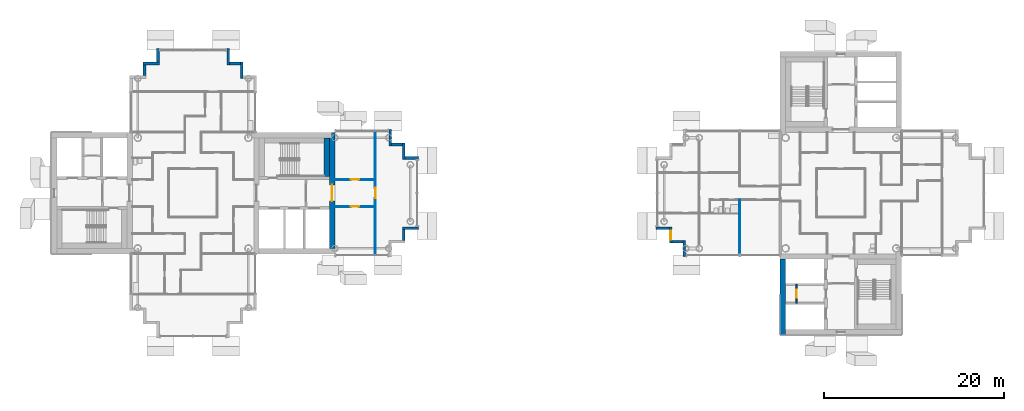
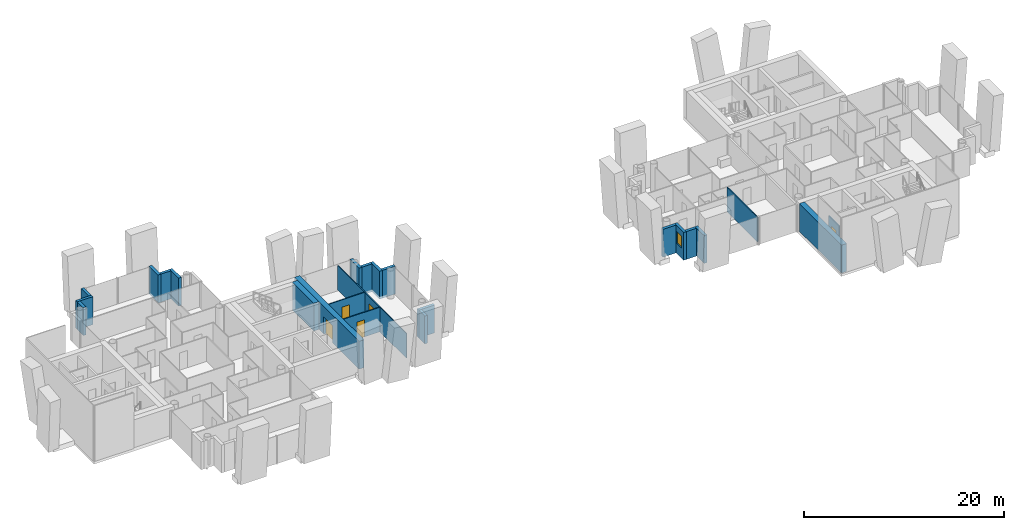
# One storey, part 8 of 18: 24 walls, 5 doors, 1 window, 6 openings.
"""IFC4 building model written with IfcOpenShell, lengths in metres."""

from ifc_helpers import new_model, si_unit, direction, frame, frame_2d, origin, place, context, subcontext, project, spatial, rectangle, extrude, material, layer, layer_set, type_object, element, fill, save


model = new_model("IFC4")

# Units and contexts
model_context = context("Model", 3, precision=1e-05, world=origin(), true_north=direction((0.0, 1.0)))
body_context = subcontext(model_context, "Body", "Model", "MODEL_VIEW")
ifc_project = project(units=[si_unit("LENGTHUNIT", "METRE"), si_unit("AREAUNIT", "SQUARE_METRE"), si_unit("VOLUMEUNIT", "CUBIC_METRE"), si_unit("PLANEANGLEUNIT", "RADIAN"), si_unit("MASSUNIT", "GRAM", prefix="KILO")], contexts=[model_context])

# Site, building, storey
site_placement = place(None, origin())
site = spatial("IfcSite", under=ifc_project, at=site_placement, CompositionType="ELEMENT")
building_placement = place(site_placement, origin())
building = spatial("IfcBuilding", under=site, at=building_placement, Name="Ipe Terrace Towers", CompositionType="ELEMENT")
storey_placement = place(building_placement, frame((0.0, 0.0, 216.39990234375)))
storey = spatial("IfcBuildingStorey", under=building, at=storey_placement, Name="L60", CompositionType="ELEMENT", Elevation=216.39990234375)

# Walls
ifc_material_1 = material(Name="Concrete C40/50 with buff precast cladding", Category="concrete")
ifc_layer_1 = layer(ifc_material_1, 0.320068359375)
ifc_layer_set_1 = layer_set([ifc_layer_1], Name="BUFF CLADDING WALL 320")
wall_type_1 = type_object("IfcWallType", Name="BUFF CLADDING WALL 320", PredefinedType="STANDARD", material=ifc_layer_set_1)
wall_1_placement = place(storey_placement, frame((-12.590087890625, -5.25, -0.2998046875), z_axis=(0.0, 0.0, 1.0), x_axis=(0.0, 1.0, 0.0)))
element("IfcWall", 1, at=wall_1_placement, inside=storey, type_object=wall_type_1, Name="T1-W-L60-19a wall", PredefinedType="STANDARD", context=body_context, shape_type="SweptSolid", body=[
    extrude(rectangle(XDim=1.179931640625, YDim=0.320068359375, at=frame_2d((0.58984375, 0.0))), origin(), (0.0, 0.0, 1.0), 3.39990234375),
])
wall_2_placement = place(storey_placement, frame((-12.75, -3.909912109375, -0.2998046875), z_axis=(0.0, 0.0, 1.0), x_axis=(1.0, 0.0, 0.0)))
element("IfcWall", 2, at=wall_2_placement, inside=storey, type_object=wall_type_1, Name="T1-W-L60-20a wall", PredefinedType="STANDARD", context=body_context, shape_type="SweptSolid", body=[
    extrude(rectangle(XDim=1.820068359375, YDim=0.320068359375, at=frame_2d((0.91015625, 0.0))), origin(), (0.0, 0.0, 1.0), 3.39990234375),
])
wall_3_placement = place(storey_placement, frame((-10.929931640625, 3.909912109375, -0.2998046875), z_axis=(0.0, 0.0, 1.0), x_axis=(-1.0, 0.0, 0.0)))
element("IfcWall", 3, at=wall_3_placement, inside=storey, type_object=wall_type_1, Name="T1-W-L60-22a wall", PredefinedType="STANDARD", context=body_context, shape_type="SweptSolid", body=[
    extrude(rectangle(XDim=1.5, YDim=0.320068359375, at=frame_2d((0.75, 0.0))), origin(), (0.0, 0.0, 1.0), 3.39990234375),
])
wall_4_placement = place(storey_placement, frame((-12.590087890625, 3.75, -0.2998046875), z_axis=(0.0, 0.0, 1.0), x_axis=(0.0, 1.0, 0.0)))
element("IfcWall", 4, at=wall_4_placement, inside=storey, type_object=wall_type_1, Name="T1-W-L60-23a wall", PredefinedType="STANDARD", context=body_context, shape_type="SweptSolid", body=[
    extrude(rectangle(XDim=1.820068359375, YDim=0.320068359375, at=frame_2d((0.91015625, 0.0))), origin(), (0.0, 0.0, 1.0), 3.39990234375),
])
wall_5_placement = place(storey_placement, frame((-12.75, 5.409912109375, -0.2998046875), z_axis=(0.0, 0.0, 1.0), x_axis=(-1.0, 0.0, 0.0)))
element("IfcWall", 5, at=wall_5_placement, inside=storey, type_object=wall_type_1, Name="T1-W-L60-24a wall", PredefinedType="STANDARD", context=body_context, shape_type="SweptSolid", body=[
    extrude(rectangle(XDim=1.179931640625, YDim=0.320068359375, at=frame_2d((0.58984375, 0.0))), origin(), (0.0, 0.0, 1.0), 3.39990234375),
])
for number, where, z_axis, x_axis, name in (
    (6, (-14.090087890625, 5.25, -0.2998046875), (0.0, 0.0, 1.0), (0.0, 1.0, 0.0), "T1-W-L60-25a wall"),
    (7, (-30.590087890625, 12.75, -0.2998046875), (0.0, 0.0, 1.0), (0.0, 1.0, 0.0), "T1-W-L60-31a wall"),
):
    element("IfcWall", number, at=place(storey_placement, frame(where, z_axis=z_axis, x_axis=x_axis)), inside=storey, type_object=wall_type_1, Name=name, PredefinedType="STANDARD", context=body_context, shape_type="SweptSolid", body=[
        extrude(rectangle(XDim=1.820068359375, YDim=0.320068359375, at=frame_2d((0.91015625, 0.0))), origin(), (0.0, 0.0, 1.0), 3.39990234375),
    ])
wall_6_placement = place(storey_placement, frame((-30.75, 14.409912109375, -0.2998046875), z_axis=(0.0, 0.0, 1.0), x_axis=(-1.0, 0.0, 0.0)))
element("IfcWall", 8, at=wall_6_placement, inside=storey, type_object=wall_type_1, Name="T1-W-L60-32a wall", PredefinedType="STANDARD", context=body_context, shape_type="SweptSolid", body=[
    extrude(rectangle(XDim=1.179931640625, YDim=0.320068359375, at=frame_2d((0.58984375, 0.0))), origin(), (0.0, 0.0, 1.0), 3.39990234375),
])
wall_7_placement = place(storey_placement, frame((-32.090087890625, 14.25, -0.2998046875), z_axis=(0.0, 0.0, 1.0), x_axis=(0.0, 1.0, 0.0)))
element("IfcWall", 9, at=wall_7_placement, inside=storey, type_object=wall_type_1, Name="T1-W-L60-33a wall", PredefinedType="STANDARD", context=body_context, shape_type="SweptSolid", body=[
    extrude(rectangle(XDim=1.820068359375, YDim=0.320068359375, at=frame_2d((0.91015625, 0.0))), origin(), (0.0, 0.0, 1.0), 3.39990234375),
])
wall_8_placement = place(storey_placement, frame((-39.909912109375, 16.070068359375, -0.2998046875), z_axis=(0.0, 0.0, 1.0), x_axis=(0.0, -1.0, 0.0)))
element("IfcWall", 10, at=wall_8_placement, inside=storey, type_object=wall_type_1, Name="T1-W-L60-35a wall", PredefinedType="STANDARD", context=body_context, shape_type="SweptSolid", body=[
    extrude(rectangle(XDim=1.5, YDim=0.320068359375, at=frame_2d((0.75, 0.0))), origin(), (0.0, 0.0, 1.0), 3.39990234375),
])
wall_9_placement = place(storey_placement, frame((-39.75, 14.409912109375, -0.2998046875), z_axis=(0.0, 0.0, 1.0), x_axis=(-1.0, 0.0, 0.0)))
element("IfcWall", 11, at=wall_9_placement, inside=storey, type_object=wall_type_1, Name="T1-W-L60-36a wall", PredefinedType="STANDARD", context=body_context, shape_type="SweptSolid", body=[
    extrude(rectangle(XDim=1.820068359375, YDim=0.320068359375, at=frame_2d((0.91015625, 0.0))), origin(), (0.0, 0.0, 1.0), 3.39990234375),
])
wall_10_placement = place(storey_placement, frame((-41.409912109375, 14.25, -0.2998046875), z_axis=(0.0, 0.0, 1.0), x_axis=(0.0, -1.0, 0.0)))
element("IfcWall", 12, at=wall_10_placement, inside=storey, type_object=wall_type_1, Name="T1-W-L60-37a wall", PredefinedType="STANDARD", context=body_context, shape_type="SweptSolid", body=[
    extrude(rectangle(XDim=1.179931640625, YDim=0.320068359375, at=frame_2d((0.58984375, 0.0))), origin(), (0.0, 0.0, 1.0), 3.39990234375),
])
wall_11_placement = place(storey_placement, frame((15.429931640625, -3.909912109375, -0.2998046875), z_axis=(0.0, 0.0, 1.0), x_axis=(1.0, 0.0, 0.0)))
element("IfcWall", 13, at=wall_11_placement, inside=storey, type_object=wall_type_1, Name="T2-W-L60-27a wall", PredefinedType="STANDARD", context=body_context, shape_type="SweptSolid", body=[
    extrude(rectangle(XDim=1.5, YDim=0.320068359375, at=frame_2d((0.75, 0.0))), origin(), (0.0, 0.0, 1.0), 3.39990234375),
])

# Wall, opening, window
wall_12_placement = place(storey_placement, frame((17.090087890625, -3.75, -0.2998046875), z_axis=(0.0, 0.0, 1.0), x_axis=(0.0, -1.0, 0.0)))
wall_12 = element("IfcWall", 14, at=wall_12_placement, inside=storey, type_object=wall_type_1, Name="T2-W-L60-28a wall", PredefinedType="STANDARD", context=body_context, shape_type="SweptSolid", body=[
    extrude(rectangle(XDim=1.820068359375, YDim=0.320068359375, at=frame_2d((0.91015625, 0.0))), origin(), (0.0, 0.0, 1.0), 3.39990234375),
])
opening_1_placement = place(wall_12_placement, frame((0.409912109375, 0.0, 1.199951171875)))
opening_1 = element("IfcOpeningElement", 15, at=opening_1_placement, cuts=wall_12, Name="Opening T2-W-05-L60-01", PredefinedType="OPENING", context=body_context, shape_type="SweptSolid", body=[
    extrude(rectangle(XDim=1.0, YDim=1.5, at=frame_2d((0.5, 0.75))), frame((0.0, 0.169921875, 0.0), z_axis=(0.0, -1.0, 0.0), x_axis=(1.0, 0.0, 0.0)), (0.0, 0.0, 1.0), 0.340087890625),
])
ifc_material_2 = material(Name="Glass, clear laminated", Category="glass")
window_type = type_object("IfcWindowType", Name="DWELLING WINDOW 1000 x 1500", PartitioningType="SINGLE_PANEL", PredefinedType="WINDOW", material=ifc_material_2)
window_placement = place(opening_1_placement, origin())
window = element("IfcWindow", 16, at=window_placement, inside=storey, type_object=window_type, Name="W-05 window", OverallHeight=1.5, OverallWidth=1.0, PartitioningType="SINGLE_PANEL", PredefinedType="WINDOW", context=body_context, shape_type="SweptSolid", body=[
    extrude(rectangle(XDim=1.0, YDim=1.5, at=frame_2d((0.5, 0.75))), frame((0.0, 0.030029296875, 0.0), z_axis=(0.0, -1.0, 0.0), x_axis=(1.0, 0.0, 0.0)), (0.0, 0.0, 1.0), 0.06005859375),
])
fill(opening_1, window)

# Walls
wall_13_placement = place(storey_placement, frame((17.25, -5.409912109375, -0.2998046875), z_axis=(0.0, 0.0, 1.0), x_axis=(1.0, 0.0, 0.0)))
element("IfcWall", 17, at=wall_13_placement, inside=storey, type_object=wall_type_1, Name="T2-W-L60-29a wall", PredefinedType="STANDARD", context=body_context, shape_type="SweptSolid", body=[
    extrude(rectangle(XDim=1.179931640625, YDim=0.320068359375, at=frame_2d((0.58984375, 0.0))), origin(), (0.0, 0.0, 1.0), 3.39990234375),
])
wall_14_placement = place(storey_placement, frame((18.590087890625, -5.25, -0.2998046875), z_axis=(0.0, 0.0, 1.0), x_axis=(0.0, -1.0, 0.0)))
element("IfcWall", 18, at=wall_14_placement, inside=storey, type_object=wall_type_1, Name="T2-W-L60-30a wall", PredefinedType="STANDARD", context=body_context, shape_type="SweptSolid", body=[
    extrude(rectangle(XDim=1.820068359375, YDim=0.320068359375, at=frame_2d((0.91015625, 0.0))), origin(), (0.0, 0.0, 1.0), 3.39990234375),
])

# Wall, opening, door
ifc_material_3 = material(Name="Gypsum board partition", Category="plasterboard")
ifc_layer_2 = layer(ifc_material_3, 0.10009765625)
ifc_layer_set_2 = layer_set([ifc_layer_2], Name="Gypsum board partition 100 mm")
wall_type_2 = type_object("IfcWallType", Name="Gypsum board partition 100 mm", PredefinedType="PARTITIONING", material=ifc_layer_set_2)
wall_15_placement = place(storey_placement, frame((-15.75, -6.85009765625, 0.0), z_axis=(0.0, 0.0, 1.0), x_axis=(0.0, 1.0, 0.0)))
wall_15 = element("IfcWall", 19, at=wall_15_placement, inside=storey, type_object=wall_type_2, Name="Gypsum board partition T1 L60 W15", PredefinedType="PARTITIONING", context=body_context, shape_type="SweptSolid", body=[
    extrude(rectangle(XDim=13.7001953125, YDim=0.10009765625, at=frame_2d((6.85009765625, 0.0))), origin(), (0.0, 0.0, 1.0), 3.0),
])
opening_2_placement = place(wall_15_placement, frame((6.25, 0.0, 0.0)))
opening_2 = element("IfcOpeningElement", 20, at=opening_2_placement, cuts=wall_15, Name="Opening T1-Z4F-17", PredefinedType="OPENING", context=body_context, shape_type="SweptSolid", body=[
    extrude(rectangle(XDim=1.199951171875, YDim=2.10009765625, at=frame_2d((0.60009765625, 1.050048828125))), frame((0.0, 0.06005859375, 0.0), z_axis=(0.0, -1.0, 0.0), x_axis=(1.0, 0.0, 0.0)), (0.0, 0.0, 1.0), 0.1201171875),
])
ifc_material_4 = material(Name="Timber door leaf", Category="wood")
door_type_1 = type_object("IfcDoorType", Name="Lounge door 1200 x 2100", OperationType="NOTDEFINED", PredefinedType="DOOR", material=ifc_material_4)
door_1_placement = place(opening_2_placement, origin())
door_1 = element("IfcDoor", 21, at=door_1_placement, inside=storey, type_object=door_type_1, Name="Lounge door T1-Z4F-17", OperationType="SINGLE_SWING_RIGHT", OverallHeight=2.10009765625, OverallWidth=1.199951171875, PredefinedType="DOOR", context=body_context, shape_type="SweptSolid", body=[
    extrude(rectangle(XDim=1.199951171875, YDim=2.10009765625, at=frame_2d((0.60009765625, 1.050048828125))), frame((0.0, 0.02490234375, 0.0), z_axis=(0.0, -1.0, 0.0), x_axis=(1.0, 0.0, 0.0)), (0.0, 0.0, 1.0), 0.050048828125),
])
fill(opening_2, door_1)

wall_16_placement = place(storey_placement, frame((-20.25, -1.5, 0.0), z_axis=(0.0, 0.0, 1.0), x_axis=(1.0, 0.0, 0.0)))
wall_16 = element("IfcWall", 22, at=wall_16_placement, inside=storey, type_object=wall_type_2, Name="Gypsum board partition T1 L60 W25", PredefinedType="PARTITIONING", context=body_context, shape_type="SweptSolid", body=[
    extrude(rectangle(XDim=4.5, YDim=0.10009765625, at=frame_2d((2.25, 0.0))), origin(), (0.0, 0.0, 1.0), 3.0),
])
opening_3_placement = place(wall_16_placement, frame((1.800048828125, 0.0, 0.0)))
opening_3 = element("IfcOpeningElement", 23, at=opening_3_placement, cuts=wall_16, Name="Opening T1-Z4F-16", PredefinedType="OPENING", context=body_context, shape_type="SweptSolid", body=[
    extrude(rectangle(XDim=0.89990234375, YDim=2.10009765625, at=frame_2d((0.449951171875, 1.050048828125))), frame((0.0, 0.06005859375, 0.0), z_axis=(0.0, -1.0, 0.0), x_axis=(1.0, 0.0, 0.0)), (0.0, 0.0, 1.0), 0.1201171875),
])
ifc_material_5 = material(Name="Timber door leaf", Category="wood")
door_type_2 = type_object("IfcDoorType", Name="Lounge door 900 x 2100", OperationType="NOTDEFINED", PredefinedType="DOOR", material=ifc_material_5)
door_2_placement = place(opening_3_placement, origin())
door_2 = element("IfcDoor", 24, at=door_2_placement, inside=storey, type_object=door_type_2, Name="Lounge door T1-Z4F-16", OperationType="SINGLE_SWING_RIGHT", OverallHeight=2.10009765625, OverallWidth=0.89990234375, PredefinedType="DOOR", context=body_context, shape_type="SweptSolid", body=[
    extrude(rectangle(XDim=0.89990234375, YDim=2.10009765625, at=frame_2d((0.449951171875, 1.050048828125))), frame((0.0, 0.02490234375, 0.0), z_axis=(0.0, -1.0, 0.0), x_axis=(1.0, 0.0, 0.0)), (0.0, 0.0, 1.0), 0.050048828125),
])
fill(opening_3, door_2)

wall_17_placement = place(storey_placement, frame((-20.25, 1.5, 0.0), z_axis=(0.0, 0.0, 1.0), x_axis=(1.0, 0.0, 0.0)))
wall_17 = element("IfcWall", 25, at=wall_17_placement, inside=storey, type_object=wall_type_2, Name="Gypsum board partition T1 L60 W28", PredefinedType="PARTITIONING", context=body_context, shape_type="SweptSolid", body=[
    extrude(rectangle(XDim=4.5, YDim=0.10009765625, at=frame_2d((2.25, 0.0))), origin(), (0.0, 0.0, 1.0), 3.0),
])
opening_4_placement = place(wall_17_placement, frame((1.800048828125, 0.0, 0.0)))
opening_4 = element("IfcOpeningElement", 26, at=opening_4_placement, cuts=wall_17, Name="Opening T1-Z4F-15", PredefinedType="OPENING", context=body_context, shape_type="SweptSolid", body=[
    extrude(rectangle(XDim=0.89990234375, YDim=2.10009765625, at=frame_2d((0.449951171875, 1.050048828125))), frame((0.0, 0.06005859375, 0.0), z_axis=(0.0, -1.0, 0.0), x_axis=(1.0, 0.0, 0.0)), (0.0, 0.0, 1.0), 0.1201171875),
])
door_3_placement = place(opening_4_placement, origin())
door_3 = element("IfcDoor", 27, at=door_3_placement, inside=storey, type_object=door_type_2, Name="Lounge door T1-Z4F-15", OperationType="SINGLE_SWING_LEFT", OverallHeight=2.10009765625, OverallWidth=0.89990234375, PredefinedType="DOOR", context=body_context, shape_type="SweptSolid", body=[
    extrude(rectangle(XDim=0.89990234375, YDim=2.10009765625, at=frame_2d((0.449951171875, 1.050048828125))), frame((0.0, 0.02490234375, 0.0), z_axis=(0.0, -1.0, 0.0), x_axis=(1.0, 0.0, 0.0)), (0.0, 0.0, 1.0), 0.050048828125),
])
fill(opening_4, door_3)

# Wall
wall_18_placement = place(storey_placement, frame((24.75, -6.85009765625, 0.0), z_axis=(0.0, 0.0, 1.0), x_axis=(0.0, 1.0, 0.0)))
element("IfcWall", 28, at=wall_18_placement, inside=storey, type_object=wall_type_2, Name="Gypsum board partition T2 L60 W33", PredefinedType="PARTITIONING", context=body_context, shape_type="SweptSolid", body=[
    extrude(rectangle(XDim=6.10009765625, YDim=0.10009765625, at=frame_2d((3.050048828125, 0.0))), origin(), (0.0, 0.0, 1.0), 3.0),
])

# Wall, opening, door
ifc_material_6 = material(Name="Gypsum board partition", Category="plasterboard")
ifc_layer_3 = layer(ifc_material_6, 0.14990234375)
ifc_layer_set_3 = layer_set([ifc_layer_3], Name="Gypsum board partition 150 mm")
wall_type_3 = type_object("IfcWallType", Name="Gypsum board partition 150 mm", PredefinedType="PARTITIONING", material=ifc_layer_set_3)
wall_19_placement = place(storey_placement, frame((31.050048828125, -10.14990234375, 0.0), z_axis=(0.0, 0.0, 1.0), x_axis=(0.0, -1.0, 0.0)))
wall_19 = element("IfcWall", 29, at=wall_19_placement, inside=storey, type_object=wall_type_3, Name="Gypsum board partition T2 L60 t2c2-q-back", PredefinedType="PARTITIONING", context=body_context, shape_type="SweptSolid", body=[
    extrude(rectangle(XDim=2.10009765625, YDim=0.14990234375, at=frame_2d((1.050048828125, 0.0))), origin(), (0.0, 0.0, 1.0), 3.0),
])
opening_5_placement = place(wall_19_placement, frame((0.60009765625, 0.0, 0.0)))
opening_5 = element("IfcOpeningElement", 30, at=opening_5_placement, cuts=wall_19, Name="Opening T2C2-RB", PredefinedType="OPENING", context=body_context, shape_type="SweptSolid", body=[
    extrude(rectangle(XDim=0.89990234375, YDim=2.10009765625, at=frame_2d((0.449951171875, 1.050048828125))), frame((0.0, 0.0849609375, 0.0), z_axis=(0.0, -1.0, 0.0), x_axis=(1.0, 0.0, 0.0)), (0.0, 0.0, 1.0), 0.169921875),
])
ifc_material_7 = material(Name="Fire-rated timber door leaf", Category="wood")
door_type_3 = type_object("IfcDoorType", Name="Service door 900 x 2100 FD60", OperationType="NOTDEFINED", PredefinedType="DOOR", material=ifc_material_7)
door_4_placement = place(opening_5_placement, origin())
door_4 = element("IfcDoor", 31, at=door_4_placement, inside=storey, type_object=door_type_3, Name="Service door T2C2-RB", OperationType="SINGLE_SWING_LEFT", OverallHeight=2.10009765625, OverallWidth=0.89990234375, PredefinedType="DOOR", context=body_context, shape_type="SweptSolid", body=[
    extrude(rectangle(XDim=0.89990234375, YDim=2.10009765625, at=frame_2d((0.449951171875, 1.050048828125))), frame((0.0, 0.02490234375, 0.0), z_axis=(0.0, -1.0, 0.0), x_axis=(1.0, 0.0, 0.0)), (0.0, 0.0, 1.0), 0.050048828125),
])
fill(opening_5, door_4)

# Wall
ifc_material_8 = material(Name="Concrete C40/50", Category="concrete")
ifc_layer_4 = layer(ifc_material_8, 0.60009765625)
ifc_layer_set_4 = layer_set([ifc_layer_4], Name="RW600 CORE INFILL WALL 600 C40-50")
wall_type_4 = type_object("IfcWallType", Name="RW600 CORE INFILL WALL 600 C40-50", PredefinedType="SHEAR", material=ifc_layer_set_4)
wall_20_placement = place(storey_placement, frame((-21.14990234375, 1.85009765625, 0.0), z_axis=(0.0, 0.0, 1.0), x_axis=(0.0, 1.0, 0.0)))
element("IfcWall", 32, at=wall_20_placement, inside=storey, type_object=wall_type_4, Name="Core infill wall T1-C1-far", PredefinedType="SHEAR", context=body_context, shape_type="SweptSolid", body=[
    extrude(rectangle(XDim=4.2998046875, YDim=0.60009765625, at=frame_2d((2.14990234375, 0.0))), origin(), (0.0, 0.0, 1.0), 3.400146484375),
])

# Wall, opening, door
ifc_material_9 = material(Name="Concrete C40/50", Category="concrete")
ifc_layer_5 = layer(ifc_material_9, 0.60009765625)
ifc_layer_set_5 = layer_set([ifc_layer_5], Name="RW600 CORE WALL 600 C40-50")
wall_type_5 = type_object("IfcWallType", Name="RW600 CORE WALL 600 C40-50", PredefinedType="SHEAR", material=ifc_layer_set_5)
wall_21_placement = place(storey_placement, frame((-20.550048828125, -6.14990234375, 0.0), z_axis=(0.0, 0.0, 1.0), x_axis=(0.0, 1.0, 0.0)))
wall_21 = element("IfcWall", 33, at=wall_21_placement, inside=storey, type_object=wall_type_5, Name="Core wall T1-C1-Z4-W02", PredefinedType="SHEAR", context=body_context, shape_type="SweptSolid", body=[
    extrude(rectangle(XDim=12.89990234375, YDim=0.60009765625, at=frame_2d((6.449951171875, 0.0))), origin(), (0.0, 0.0, 1.0), 3.400146484375),
])
opening_6_placement = place(wall_21_placement, frame((5.25, 0.0, 0.0)))
opening_6 = element("IfcOpeningElement", 34, at=opening_6_placement, cuts=wall_21, Name="Opening T1C1-FD", PredefinedType="OPENING", context=body_context, shape_type="SweptSolid", body=[
    extrude(rectangle(XDim=1.800048828125, YDim=2.10009765625, at=frame_2d((0.89990234375, 1.050048828125))), frame((0.0, 0.31005859375, 0.0), z_axis=(0.0, -1.0, 0.0), x_axis=(1.0, 0.0, 0.0)), (0.0, 0.0, 1.0), 0.6201171875),
])
ifc_material_10 = material(Name="Fire-rated timber door leaf", Category="wood")
door_type_4 = type_object("IfcDoorType", Name="Fire door 1800 x 2100 FD30S", OperationType="NOTDEFINED", PredefinedType="DOOR", material=ifc_material_10)
door_5_placement = place(opening_6_placement, origin())
door_5 = element("IfcDoor", 35, at=door_5_placement, inside=storey, type_object=door_type_4, Name="Fire door T1C1-FD", OperationType="SINGLE_SWING_LEFT", OverallHeight=2.10009765625, OverallWidth=1.800048828125, PredefinedType="DOOR", context=body_context, shape_type="SweptSolid", body=[
    extrude(rectangle(XDim=1.800048828125, YDim=2.10009765625, at=frame_2d((0.89990234375, 1.050048828125))), frame((0.0, 0.02490234375, 0.0), z_axis=(0.0, -1.0, 0.0), x_axis=(1.0, 0.0, 0.0)), (0.0, 0.0, 1.0), 0.050048828125),
])
fill(opening_6, door_5)

# Wall
wall_22_placement = place(storey_placement, frame((29.550048828125, -7.35009765625, 0.0), z_axis=(0.0, 0.0, 1.0), x_axis=(0.0, -1.0, 0.0)))
element("IfcWall", 36, at=wall_22_placement, inside=storey, type_object=wall_type_5, Name="Core wall T2-C2-Z4-W04", PredefinedType="SHEAR", context=body_context, shape_type="SweptSolid", body=[
    extrude(rectangle(XDim=8.39990234375, YDim=0.60009765625, at=frame_2d((4.199951171875, 0.0))), origin(), (0.0, 0.0, 1.0), 3.400146484375),
])

save(model, "model.ifc")
